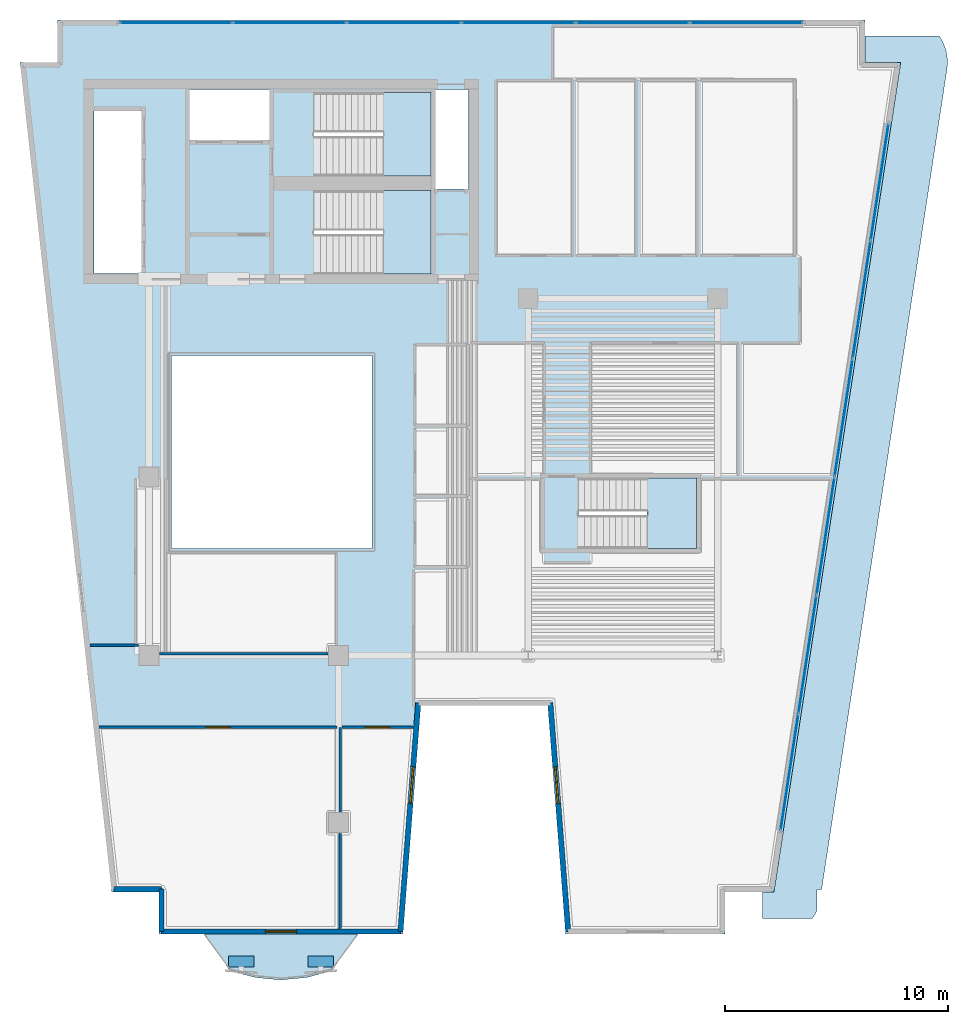
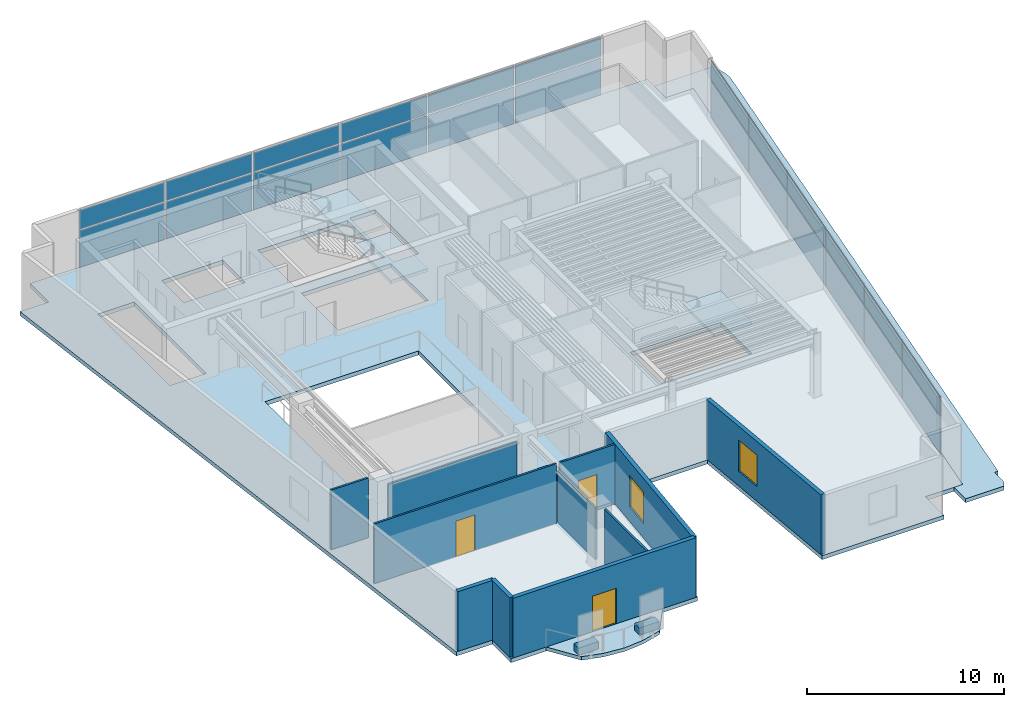
# One storey, part 3 of 8: 26 plates, 11 walls, 6 slabs, 3 doors, 2 windows, 5 openings, 5 elements without a shape of their own.
"""IFC4 building model written with IfcOpenShell, lengths in metres."""

from ifc_helpers import new_model, si_unit, direction, frame, frame_2d, origin, origin_2d, place, context, subcontext, project, spatial, polyline, rectangle, outline, extrude, material, layer, layer_set, type_object, element, fill, aggregate, save


model = new_model("IFC4")

# Units and contexts
model_context = context("Model", 3, precision=1e-05, world=origin(), true_north=direction((0.0, 1.0)))
body_context = subcontext(model_context, "Body", "Model", "MODEL_VIEW")
ifc_project = project(units=[si_unit("LENGTHUNIT", "METRE"), si_unit("AREAUNIT", "SQUARE_METRE"), si_unit("VOLUMEUNIT", "CUBIC_METRE"), si_unit("PLANEANGLEUNIT", "RADIAN"), si_unit("MASSUNIT", "GRAM", prefix="KILO")], contexts=[model_context])

# Site, building, storey
site_placement = place(None, origin())
site = spatial("IfcSite", under=ifc_project, at=site_placement, CompositionType="ELEMENT")
building_placement = place(site_placement, origin())
building = spatial("IfcBuilding", under=site, at=building_placement, Name="Caeloran Harvest Quay", CompositionType="ELEMENT")
storey_placement = place(building_placement, frame((0.0, 0.0, 235.10009765625)))
storey = spatial("IfcBuildingStorey", under=building, at=storey_placement, Name="L56", CompositionType="ELEMENT", Elevation=235.10009765625)

# Slab
ifc_material_1 = material(Name="Concrete C50/60", Category="concrete")
ifc_layer_1 = layer(ifc_material_1, 0.219970703125, Name="Concrete C50/60")
ifc_layer_set_1 = layer_set([ifc_layer_1], Name="Concrete C50/60")
slab_type_1 = type_object("IfcSlabType", Name="BALCONY-BL-220", PredefinedType="FLOOR", material=ifc_layer_set_1)
slab_1_placement = place(storey_placement, frame((0.0, 0.0, -0.22021484375)))
element("IfcSlab", 1, at=slab_1_placement, inside=storey, type_object=slab_type_1, Name="L56 Scalloped Cantilevered Planted Balcony Slab", PredefinedType="FLOOR", context=body_context, shape_type="SweptSolid", body=[
    extrude(outline(polyline([(16.70068359375, 0.856689453125), (15.5576171875, 0.553955078125), (14.41455078125, 0.443115234375), (13.271240234375, 0.553955078125), (12.128173828125, 0.856689453125), (10.998779296875, 2.5), (17.830322265625, 2.5), (16.70068359375, 0.856689453125)])), origin(), (0.0, 0.0, 1.0), 0.22021484375),
])

# Curtain wall, plates
ifc_material_2 = material(Name="Aluminium 6063-T6 and Low-E Glazing", Category="aluminium")
ifc_layer_2 = layer(ifc_material_2, 0.219970703125, Name="Aluminium 6063-T6 and Low-E Glazing")
ifc_layer_set_2 = layer_set([ifc_layer_2], Name="Aluminium 6063-T6 and Low-E Glazing")
curtain_wall_type = type_object("IfcCurtainWallType", Name="CW-SYS-CW-5", PredefinedType="USERDEFINED", material=ifc_layer_set_2)
curtain_wall_1_placement = place(storey_placement, origin())
curtain_wall_1 = element("IfcCurtainWall", 2, at=curtain_wall_1_placement, inside=storey, type_object=curtain_wall_type, Name="L56 Unitised Curtain Wall CW-5 Run 6", ObjectType="CURTAIN_WALL", PredefinedType="USERDEFINED")
ifc_material_3 = material(Name="Low-E Double Glazed Vision Glass Unit", Category="glass")
ifc_layer_3 = layer(ifc_material_3, 0.035888671875, Name="Low-E Double Glazed Vision Glass Unit")
ifc_layer_set_3 = layer_set([ifc_layer_3], Name="Low-E Double Glazed Vision Glass Unit")
plate_type_1 = type_object("IfcPlateType", Name="CW-VISION-PANEL", PredefinedType="CURTAIN_PANEL", material=ifc_layer_set_3)
plate_1_placement = place(storey_placement, frame((9.703369140625, 43.3798828125, 0.080078125), z_axis=(0.0, 0.0, 1.0), x_axis=(1.0, 0.0, 0.0)))
plate_1 = element("IfcPlate", 3, at=plate_1_placement, type_object=plate_type_1, Name="CW-5 panel 1.1", PredefinedType="CURTAIN_PANEL", context=body_context, shape_type="SweptSolid", body=[
    extrude(rectangle(XDim=5.006591796875, YDim=0.035888671875, at=origin_2d()), origin(), (0.0, 0.0, 1.0), 2.280029296875),
])
plate_2_placement = place(storey_placement, frame((9.703369140625, 43.3798828125, 2.43994140625), z_axis=(0.0, 0.0, 1.0), x_axis=(1.0, 0.0, 0.0)))
plate_2 = element("IfcPlate", 4, at=plate_2_placement, type_object=plate_type_1, Name="CW-5 panel 1.2", PredefinedType="CURTAIN_PANEL", context=body_context, shape_type="SweptSolid", body=[
    extrude(rectangle(XDim=5.006591796875, YDim=0.035888671875, at=origin_2d()), origin(), (0.0, 0.0, 1.0), 1.179931640625),
])
plate_3_placement = place(storey_placement, frame((14.81005859375, 43.3798828125, 0.080078125), z_axis=(0.0, 0.0, 1.0), x_axis=(1.0, 0.0, 0.0)))
plate_3 = element("IfcPlate", 5, at=plate_3_placement, type_object=plate_type_1, Name="CW-5 panel 2.1", PredefinedType="CURTAIN_PANEL", context=body_context, shape_type="SweptSolid", body=[
    extrude(rectangle(XDim=5.046630859375, YDim=0.035888671875, at=origin_2d()), origin(), (0.0, 0.0, 1.0), 2.280029296875),
])
plate_4_placement = place(storey_placement, frame((14.81005859375, 43.3798828125, 2.43994140625), z_axis=(0.0, 0.0, 1.0), x_axis=(1.0, 0.0, 0.0)))
plate_4 = element("IfcPlate", 6, at=plate_4_placement, type_object=plate_type_1, Name="CW-5 panel 2.2", PredefinedType="CURTAIN_PANEL", context=body_context, shape_type="SweptSolid", body=[
    extrude(rectangle(XDim=5.046630859375, YDim=0.035888671875, at=origin_2d()), origin(), (0.0, 0.0, 1.0), 1.179931640625),
])
plate_5_placement = place(storey_placement, frame((19.936767578125, 43.3798828125, 0.080078125), z_axis=(0.0, 0.0, 1.0), x_axis=(1.0, 0.0, 0.0)))
plate_5 = element("IfcPlate", 7, at=plate_5_placement, type_object=plate_type_1, Name="CW-5 panel 3.1", PredefinedType="CURTAIN_PANEL", context=body_context, shape_type="SweptSolid", body=[
    extrude(rectangle(XDim=5.046630859375, YDim=0.035888671875, at=origin_2d()), origin(), (0.0, 0.0, 1.0), 2.280029296875),
])
plate_6_placement = place(storey_placement, frame((19.936767578125, 43.3798828125, 2.43994140625), z_axis=(0.0, 0.0, 1.0), x_axis=(1.0, 0.0, 0.0)))
plate_6 = element("IfcPlate", 8, at=plate_6_placement, type_object=plate_type_1, Name="CW-5 panel 3.2", PredefinedType="CURTAIN_PANEL", context=body_context, shape_type="SweptSolid", body=[
    extrude(rectangle(XDim=5.046630859375, YDim=0.035888671875, at=origin_2d()), origin(), (0.0, 0.0, 1.0), 1.179931640625),
])
plate_7_placement = place(storey_placement, frame((25.063232421875, 43.3798828125, 0.080078125), z_axis=(0.0, 0.0, 1.0), x_axis=(1.0, 0.0, 0.0)))
plate_7 = element("IfcPlate", 9, at=plate_7_placement, type_object=plate_type_1, Name="CW-5 panel 4.1", PredefinedType="CURTAIN_PANEL", context=body_context, shape_type="SweptSolid", body=[
    extrude(rectangle(XDim=5.046630859375, YDim=0.035888671875, at=origin_2d()), origin(), (0.0, 0.0, 1.0), 2.280029296875),
])
plate_8_placement = place(storey_placement, frame((25.063232421875, 43.3798828125, 2.43994140625), z_axis=(0.0, 0.0, 1.0), x_axis=(1.0, 0.0, 0.0)))
plate_8 = element("IfcPlate", 10, at=plate_8_placement, type_object=plate_type_1, Name="CW-5 panel 4.2", PredefinedType="CURTAIN_PANEL", context=body_context, shape_type="SweptSolid", body=[
    extrude(rectangle(XDim=5.046630859375, YDim=0.035888671875, at=origin_2d()), origin(), (0.0, 0.0, 1.0), 1.179931640625),
])
plate_9_placement = place(storey_placement, frame((30.18994140625, 43.3798828125, 0.080078125), z_axis=(0.0, 0.0, 1.0), x_axis=(1.0, 0.0, 0.0)))
plate_9 = element("IfcPlate", 11, at=plate_9_placement, type_object=plate_type_1, Name="CW-5 panel 5.1", PredefinedType="CURTAIN_PANEL", context=body_context, shape_type="SweptSolid", body=[
    extrude(rectangle(XDim=5.046630859375, YDim=0.035888671875, at=origin_2d()), origin(), (0.0, 0.0, 1.0), 2.280029296875),
])
plate_10_placement = place(storey_placement, frame((30.18994140625, 43.3798828125, 2.43994140625), z_axis=(0.0, 0.0, 1.0), x_axis=(1.0, 0.0, 0.0)))
plate_10 = element("IfcPlate", 12, at=plate_10_placement, type_object=plate_type_1, Name="CW-5 panel 5.2", PredefinedType="CURTAIN_PANEL", context=body_context, shape_type="SweptSolid", body=[
    extrude(rectangle(XDim=5.046630859375, YDim=0.035888671875, at=origin_2d()), origin(), (0.0, 0.0, 1.0), 1.179931640625),
])
plate_11_placement = place(storey_placement, frame((35.296630859375, 43.3798828125, 0.080078125), z_axis=(0.0, 0.0, 1.0), x_axis=(1.0, 0.0, 0.0)))
plate_11 = element("IfcPlate", 13, at=plate_11_placement, type_object=plate_type_1, Name="CW-5 panel 6.1", PredefinedType="CURTAIN_PANEL", context=body_context, shape_type="SweptSolid", body=[
    extrude(rectangle(XDim=5.006591796875, YDim=0.035888671875, at=origin_2d()), origin(), (0.0, 0.0, 1.0), 2.280029296875),
])
plate_12_placement = place(storey_placement, frame((35.296630859375, 43.3798828125, 2.43994140625), z_axis=(0.0, 0.0, 1.0), x_axis=(1.0, 0.0, 0.0)))
plate_12 = element("IfcPlate", 14, at=plate_12_placement, type_object=plate_type_1, Name="CW-5 panel 6.2", PredefinedType="CURTAIN_PANEL", context=body_context, shape_type="SweptSolid", body=[
    extrude(rectangle(XDim=5.006591796875, YDim=0.035888671875, at=origin_2d()), origin(), (0.0, 0.0, 1.0), 1.179931640625),
])
aggregate(curtain_wall_1, [plate_1, plate_2, plate_3, plate_4, plate_5, plate_6, plate_7, plate_8, plate_9, plate_10, plate_11, plate_12])

curtain_wall_2_placement = place(storey_placement, origin())
curtain_wall_2 = element("IfcCurtainWall", 15, at=curtain_wall_2_placement, inside=storey, type_object=curtain_wall_type, Name="L56 Unitised Curtain Wall CW-5 Run 9", ObjectType="CURTAIN_WALL", PredefinedType="USERDEFINED")
plate_13_placement = place(storey_placement, frame((41.26904296875, 36.23828125, 0.080078125), z_axis=(0.0, 0.0, 1.0), x_axis=(-0.151027591278, -0.988529547698, 0.0)))
plate_13 = element("IfcPlate", 16, at=plate_13_placement, type_object=plate_type_1, Name="CW-5 panel 1.1", PredefinedType="CURTAIN_PANEL", context=body_context, shape_type="SweptSolid", body=[
    extrude(rectangle(XDim=5.244873046875, YDim=0.035888671875, at=origin_2d()), origin(), (0.0, 0.0, 1.0), 2.280029296875),
])
plate_14_placement = place(storey_placement, frame((41.26904296875, 36.23828125, 2.43994140625), z_axis=(0.0, 0.0, 1.0), x_axis=(-0.151027591278, -0.988529547698, 0.0)))
plate_14 = element("IfcPlate", 17, at=plate_14_placement, type_object=plate_type_1, Name="CW-5 panel 1.2", PredefinedType="CURTAIN_PANEL", context=body_context, shape_type="SweptSolid", body=[
    extrude(rectangle(XDim=5.244873046875, YDim=0.035888671875, at=origin_2d()), origin(), (0.0, 0.0, 1.0), 1.179931640625),
])
plate_15_placement = place(storey_placement, frame((40.4619140625, 30.954833984375, 0.080078125), z_axis=(0.0, 0.0, 1.0), x_axis=(-0.151027591278, -0.988529547698, 0.0)))
plate_15 = element("IfcPlate", 18, at=plate_15_placement, type_object=plate_type_1, Name="CW-5 panel 2.1", PredefinedType="CURTAIN_PANEL", context=body_context, shape_type="SweptSolid", body=[
    extrude(rectangle(XDim=5.284912109375, YDim=0.035888671875, at=origin_2d()), origin(), (0.0, 0.0, 1.0), 2.280029296875),
])
plate_16_placement = place(storey_placement, frame((40.4619140625, 30.954833984375, 2.43994140625), z_axis=(0.0, 0.0, 1.0), x_axis=(-0.151027591278, -0.988529547698, 0.0)))
plate_16 = element("IfcPlate", 19, at=plate_16_placement, type_object=plate_type_1, Name="CW-5 panel 2.2", PredefinedType="CURTAIN_PANEL", context=body_context, shape_type="SweptSolid", body=[
    extrude(rectangle(XDim=5.284912109375, YDim=0.035888671875, at=origin_2d()), origin(), (0.0, 0.0, 1.0), 1.179931640625),
])
plate_17_placement = place(storey_placement, frame((39.651611328125, 25.651611328125, 0.080078125), z_axis=(0.0, 0.0, 1.0), x_axis=(-0.151027591278, -0.988529547698, 0.0)))
plate_17 = element("IfcPlate", 20, at=plate_17_placement, type_object=plate_type_1, Name="CW-5 panel 3.1", PredefinedType="CURTAIN_PANEL", context=body_context, shape_type="SweptSolid", body=[
    extrude(rectangle(XDim=5.284912109375, YDim=0.035888671875, at=origin_2d()), origin(), (0.0, 0.0, 1.0), 2.280029296875),
])
plate_18_placement = place(storey_placement, frame((39.651611328125, 25.651611328125, 2.43994140625), z_axis=(0.0, 0.0, 1.0), x_axis=(-0.151027591278, -0.988529547698, 0.0)))
plate_18 = element("IfcPlate", 21, at=plate_18_placement, type_object=plate_type_1, Name="CW-5 panel 3.2", PredefinedType="CURTAIN_PANEL", context=body_context, shape_type="SweptSolid", body=[
    extrude(rectangle(XDim=5.284912109375, YDim=0.035888671875, at=origin_2d()), origin(), (0.0, 0.0, 1.0), 1.179931640625),
])
plate_19_placement = place(storey_placement, frame((38.841552734375, 20.348388671875, 0.080078125), z_axis=(0.0, 0.0, 1.0), x_axis=(-0.151027591278, -0.988529547698, 0.0)))
plate_19 = element("IfcPlate", 22, at=plate_19_placement, type_object=plate_type_1, Name="CW-5 panel 4.1", PredefinedType="CURTAIN_PANEL", context=body_context, shape_type="SweptSolid", body=[
    extrude(rectangle(XDim=5.284912109375, YDim=0.035888671875, at=origin_2d()), origin(), (0.0, 0.0, 1.0), 2.280029296875),
])
plate_20_placement = place(storey_placement, frame((38.841552734375, 20.348388671875, 2.43994140625), z_axis=(0.0, 0.0, 1.0), x_axis=(-0.151027591278, -0.988529547698, 0.0)))
plate_20 = element("IfcPlate", 23, at=plate_20_placement, type_object=plate_type_1, Name="CW-5 panel 4.2", PredefinedType="CURTAIN_PANEL", context=body_context, shape_type="SweptSolid", body=[
    extrude(rectangle(XDim=5.284912109375, YDim=0.035888671875, at=origin_2d()), origin(), (0.0, 0.0, 1.0), 1.179931640625),
])
plate_21_placement = place(storey_placement, frame((38.03125, 15.045166015625, 0.080078125), z_axis=(0.0, 0.0, 1.0), x_axis=(-0.151027591278, -0.988529547698, 0.0)))
plate_21 = element("IfcPlate", 24, at=plate_21_placement, type_object=plate_type_1, Name="CW-5 panel 5.1", PredefinedType="CURTAIN_PANEL", context=body_context, shape_type="SweptSolid", body=[
    extrude(rectangle(XDim=5.284912109375, YDim=0.035888671875, at=origin_2d()), origin(), (0.0, 0.0, 1.0), 2.280029296875),
])
plate_22_placement = place(storey_placement, frame((38.03125, 15.045166015625, 2.43994140625), z_axis=(0.0, 0.0, 1.0), x_axis=(-0.151027591278, -0.988529547698, 0.0)))
plate_22 = element("IfcPlate", 25, at=plate_22_placement, type_object=plate_type_1, Name="CW-5 panel 5.2", PredefinedType="CURTAIN_PANEL", context=body_context, shape_type="SweptSolid", body=[
    extrude(rectangle(XDim=5.284912109375, YDim=0.035888671875, at=origin_2d()), origin(), (0.0, 0.0, 1.0), 1.179931640625),
])
plate_23_placement = place(storey_placement, frame((37.22412109375, 9.76171875, 0.080078125), z_axis=(0.0, 0.0, 1.0), x_axis=(-0.151027591278, -0.988529547698, 0.0)))
plate_23 = element("IfcPlate", 26, at=plate_23_placement, type_object=plate_type_1, Name="CW-5 panel 6.1", PredefinedType="CURTAIN_PANEL", context=body_context, shape_type="SweptSolid", body=[
    extrude(rectangle(XDim=5.244873046875, YDim=0.035888671875, at=origin_2d()), origin(), (0.0, 0.0, 1.0), 2.280029296875),
])
plate_24_placement = place(storey_placement, frame((37.22412109375, 9.76171875, 2.43994140625), z_axis=(0.0, 0.0, 1.0), x_axis=(-0.151027591278, -0.988529547698, 0.0)))
plate_24 = element("IfcPlate", 27, at=plate_24_placement, type_object=plate_type_1, Name="CW-5 panel 6.2", PredefinedType="CURTAIN_PANEL", context=body_context, shape_type="SweptSolid", body=[
    extrude(rectangle(XDim=5.244873046875, YDim=0.035888671875, at=origin_2d()), origin(), (0.0, 0.0, 1.0), 1.179931640625),
])
aggregate(curtain_wall_2, [plate_13, plate_14, plate_15, plate_16, plate_17, plate_18, plate_19, plate_20, plate_21, plate_22, plate_23, plate_24])

# Plates
ifc_material_4 = material(Name="Precast concrete C50/60", Category="concrete")
ifc_layer_4 = layer(ifc_material_4, 0.449951171875, Name="Precast concrete C50/60")
ifc_layer_set_4 = layer_set([ifc_layer_4], Name="Precast concrete C50/60")
plate_type_2 = type_object("IfcPlateType", Name="PLANTER-TROUGH-450", PredefinedType="USERDEFINED", material=ifc_layer_set_4)
for number, where, z_axis, x_axis, name in (
    (28, (16.19775390625, 1.2705078125, 0.0), (0.0, 0.0, 1.0), (1.0, 0.0, 0.0), "L56 Balcony Vertical-Greenery Precast PLANTER Trough 1"),
    (29, (12.631103515625, 1.2705078125, 0.0), (0.0, 0.0, 1.0), (1.0, 0.0, 0.0), "L56 Balcony Vertical-Greenery Precast PLANTER Trough 2"),
):
    element("IfcPlate", number, at=place(storey_placement, frame(where, z_axis=z_axis, x_axis=x_axis)), inside=storey, type_object=plate_type_2, Name=name, ObjectType="PLANTER", PredefinedType="USERDEFINED", context=body_context, shape_type="SweptSolid", body=[
        extrude(rectangle(XDim=1.14990234375, YDim=0.47998046875, at=origin_2d()), origin(), (0.0, 0.0, 1.0), 0.449951171875),
    ])

# Slabs
ifc_layer_5 = layer(ifc_material_1, 0.25, Name="Concrete C50/60")
ifc_layer_set_5 = layer_set([ifc_layer_5], Name="Concrete C50/60")
slab_type_2 = type_object("IfcSlabType", Name="SLAB-FS-250", PredefinedType="FLOOR", material=ifc_layer_set_5)
slab_2_placement = place(storey_placement, frame((0.0, 0.0, -0.25)))
element("IfcSlab", 30, at=slab_2_placement, inside=storey, type_object=slab_type_2, Name="L56 Structural Floor Slab", PredefinedType="FLOOR", context=body_context, shape_type="SweptSolid", body=[
    extrude(outline(polyline([(8.93603515625, 2.5), (19.884033203125, 2.5), (20.68408203125, 12.75), (26.384033203125, 12.75), (27.18408203125, 2.5), (34.3359375, 2.5), (34.3359375, 4.39990234375), (36.5263671875, 4.39990234375), (42.209716796875, 41.60009765625), (40.60009765625, 41.60009765625), (40.60009765625, 43.5), (4.39990234375, 43.5), (4.39990234375, 41.60009765625), (2.710205078125, 41.60009765625), (6.82568359375, 4.39990234375), (8.93603515625, 4.39990234375), (8.93603515625, 2.5)]), holes=[polyline([(33.050048828125, 19.800048828125), (27.75, 19.800048828125), (27.75, 22.949951171875), (33.050048828125, 22.949951171875), (33.050048828125, 19.800048828125)]), polyline([(18.5, 19.800048828125), (9.5, 19.800048828125), (9.5, 28.449951171875), (18.5, 28.449951171875), (18.5, 19.800048828125)]), polyline([(15.89990234375, 32.10009765625), (15.89990234375, 35.85009765625), (21.14990234375, 35.85009765625), (21.14990234375, 32.10009765625), (15.89990234375, 32.10009765625)]), polyline([(8.159912109375, 32.1201171875), (6.02001953125, 32.1201171875), (6.02001953125, 39.419921875), (8.159912109375, 39.419921875), (8.159912109375, 32.1201171875)]), polyline([(22.830078125, 35.919921875), (21.35009765625, 35.919921875), (21.35009765625, 40.3798828125), (22.830078125, 40.3798828125), (22.830078125, 35.919921875)]), polyline([(15.89990234375, 36.5), (15.89990234375, 40.25), (21.14990234375, 40.25), (21.14990234375, 36.5), (15.89990234375, 36.5)]), polyline([(13.89990234375, 38.1201171875), (10.320068359375, 38.1201171875), (10.320068359375, 40.3798828125), (13.89990234375, 40.3798828125), (13.89990234375, 38.1201171875)])]), origin(), (0.0, 0.0, 1.0), 0.25),
])
ifc_layer_6 = layer(ifc_material_1, 0.239990234375, Name="Concrete C50/60")
ifc_layer_set_6 = layer_set([ifc_layer_6], Name="Concrete C50/60")
slab_type_3 = type_object("IfcSlabType", Name="SLAB-TR-240", PredefinedType="ROOF", material=ifc_layer_set_6)
slab_3_placement = place(storey_placement, frame((0.0, 0.0, -0.239990234375)))
element("IfcSlab", 31, at=slab_3_placement, inside=storey, type_object=slab_type_3, Name="L56 Step-Back Roof Slab 1", PredefinedType="ROOF", context=body_context, shape_type="SweptSolid", body=[
    extrude(outline(polyline([(44.198486328125, 42.274169921875), (44.25390625, 42.0810546875), (44.29052734375, 41.883544921875), (44.30810546875, 41.68359375), (44.306396484375, 41.482666015625), (44.28564453125, 41.28271484375), (38.666015625, 4.5), (38.452880859375, 4.5), (38.452880859375, 3.5712890625), (38.412109375, 3.475830078125), (38.308837890625, 3.289794921875), (38.25341796875, 3.2099609375), (36.010009765625, 3.2099609375), (36.010009765625, 4.39990234375), (36.5263671875, 4.39990234375), (42.209716796875, 41.60009765625), (40.60009765625, 41.60009765625), (40.60009765625, 42.7900390625), (43.938720703125, 42.7900390625), (44.033935546875, 42.64013671875), (44.125, 42.461181640625), (44.198486328125, 42.274169921875)])), origin(), (0.0, 0.0, 1.0), 0.239990234375),
])

# Stair, slab
stair_type_1 = type_object("IfcStairType", Name="STAIR-STC-180", PredefinedType="HALF_TURN_STAIR", material=ifc_material_1)
stair_1_placement = place(storey_placement, origin())
stair_1 = element("IfcStair", 32, at=stair_1_placement, inside=storey, type_object=stair_type_1, Name="L56 Core Pressurized Exit Stair ST-C1", PredefinedType="HALF_TURN_STAIR")
ifc_layer_7 = layer(ifc_material_1, 0.219970703125, Name="Concrete C50/60")
ifc_layer_set_7 = layer_set([ifc_layer_7], Name="Concrete C50/60")
slab_type_4 = type_object("IfcSlabType", Name="STAIR-LANDING-220", PredefinedType="LANDING", material=ifc_layer_set_7)
slab_4_placement = place(storey_placement, frame((0.0, 0.0, 1.77490234375)))
slab_4 = element("IfcSlab", 33, at=slab_4_placement, type_object=slab_type_4, Name="ST-C1 landing 1", PredefinedType="LANDING", context=body_context, shape_type="SweptSolid", body=[
    extrude(outline(polyline([(18.97998046875, 36.5), (21.14990234375, 36.5), (21.14990234375, 40.25), (18.97998046875, 40.25), (18.97998046875, 36.5)])), origin(), (0.0, 0.0, 1.0), 0.199951171875),
])
aggregate(stair_1, [slab_4])

stair_2_placement = place(storey_placement, origin())
stair_2 = element("IfcStair", 34, at=stair_2_placement, inside=storey, type_object=stair_type_1, Name="L56 Core Pressurized Exit Stair ST-C2", PredefinedType="HALF_TURN_STAIR")
slab_5_placement = place(storey_placement, frame((0.0, 0.0, 1.77490234375)))
slab_5 = element("IfcSlab", 35, at=slab_5_placement, type_object=slab_type_4, Name="ST-C2 landing 1", PredefinedType="LANDING", context=body_context, shape_type="SweptSolid", body=[
    extrude(outline(polyline([(18.97998046875, 32.10009765625), (21.14990234375, 32.10009765625), (21.14990234375, 35.85009765625), (18.97998046875, 35.85009765625), (18.97998046875, 32.10009765625)])), origin(), (0.0, 0.0, 1.0), 0.199951171875),
])
aggregate(stair_2, [slab_5])

stair_type_2 = type_object("IfcStairType", Name="STAIR-STW-150", PredefinedType="HALF_TURN_STAIR", material=ifc_material_1)
stair_3_placement = place(storey_placement, origin())
stair_3 = element("IfcStair", 36, at=stair_3_placement, inside=storey, type_object=stair_type_2, Name="L56 East Wing Protected Exit Stair ST-W1", PredefinedType="HALF_TURN_STAIR")
slab_6_placement = place(storey_placement, frame((0.0, 0.0, 1.77490234375)))
slab_6 = element("IfcSlab", 37, at=slab_6_placement, type_object=slab_type_4, Name="ST-W1 landing 1", PredefinedType="LANDING", context=body_context, shape_type="SweptSolid", body=[
    extrude(outline(polyline([(30.830078125, 19.800048828125), (33.050048828125, 19.800048828125), (33.050048828125, 22.949951171875), (30.830078125, 22.949951171875), (30.830078125, 19.800048828125)])), origin(), (0.0, 0.0, 1.0), 0.199951171875),
])
aggregate(stair_3, [slab_6])

# Walls
ifc_layer_8 = layer(ifc_material_4, 0.239990234375, Name="Precast concrete C50/60")
ifc_layer_set_8 = layer_set([ifc_layer_8], Name="Precast concrete C50/60")
wall_type_1 = type_object("IfcWallType", Name="ENV-WALL-EW-240", PredefinedType="STANDARD", material=ifc_layer_set_8)
wall_1_placement = place(storey_placement, frame((9.055908203125, 2.6201171875, 0.0), z_axis=(0.0, 0.0, 1.0), x_axis=(0.0, 1.0, 0.0)))
element("IfcWall", 38, at=wall_1_placement, inside=storey, type_object=wall_type_1, Name="L56 Exterior Precast Concrete Facade Wall 1", PredefinedType="STANDARD", context=body_context, shape_type="SweptSolid", body=[
    extrude(rectangle(XDim=1.89990234375, YDim=0.239990234375, at=frame_2d((0.949951171875, 0.0))), origin(), (0.0, 0.0, 1.0), 3.699951171875),
])
wall_2_placement = place(storey_placement, frame((9.055908203125, 4.52001953125, 0.0), z_axis=(0.0, 0.0, 1.0), x_axis=(-1.0, 0.0, 0.0)))
element("IfcWall", 39, at=wall_2_placement, inside=storey, type_object=wall_type_1, Name="L56 Exterior Precast Concrete Facade Wall 2", PredefinedType="STANDARD", context=body_context, shape_type="SweptSolid", body=[
    extrude(rectangle(XDim=2.12255859375, YDim=0.239990234375, at=frame_2d((1.061279296875, 0.0))), origin(), (0.0, 0.0, 1.0), 3.699951171875),
])

# Wall, opening, window
wall_3_placement = place(storey_placement, frame((27.294921875, 2.6201171875, 0.0), z_axis=(0.0, 0.0, 1.0), x_axis=(-0.077793257511, 0.996969512616, 0.0)))
wall_3 = element("IfcWall", 40, at=wall_3_placement, inside=storey, type_object=wall_type_1, Name="L56 Exterior Precast Concrete Facade Wall 13", PredefinedType="STANDARD", context=body_context, shape_type="SweptSolid", body=[
    extrude(rectangle(XDim=10.28125, YDim=0.239990234375, at=frame_2d((5.140625, 0.0))), origin(), (0.0, 0.0, 1.0), 3.699951171875),
])
opening_1_placement = place(wall_3_placement, frame((5.7548828125, 0.0, 0.89990234375)))
opening_1 = element("IfcOpeningElement", 41, at=opening_1_placement, cuts=wall_3, Name="Opening W-08", PredefinedType="OPENING", context=body_context, shape_type="SweptSolid", body=[
    extrude(rectangle(XDim=1.64990234375, YDim=1.949951171875, at=frame_2d((0.824951171875, 0.97509765625))), frame((0.0, 0.1298828125, 0.0), z_axis=(0.0, -1.0, 0.0), x_axis=(1.0, 0.0, 0.0)), (0.0, 0.0, 1.0), 0.260009765625),
])
ifc_material_5 = material(Name="Aluminium-Framed Low-E Laminated Glass", Category="aluminium")
window_type = type_object("IfcWindowType", Name="WIN-W-08", PartitioningType="SINGLE_PANEL", PredefinedType="WINDOW", material=ifc_material_5)
window_1_placement = place(opening_1_placement, origin())
window_1 = element("IfcWindow", 42, at=window_1_placement, inside=storey, type_object=window_type, Name="L56 Facade Punched Window W-08", OverallHeight=1.949951171875, OverallWidth=1.64990234375, PartitioningType="SINGLE_PANEL", PredefinedType="WINDOW", context=body_context, shape_type="SweptSolid", body=[
    extrude(rectangle(XDim=1.64990234375, YDim=1.949951171875, at=frame_2d((0.824951171875, 0.97509765625))), frame((0.0, 0.030029296875, 0.0), z_axis=(0.0, -1.0, 0.0), x_axis=(1.0, 0.0, 0.0)), (0.0, 0.0, 1.0), 0.06005859375),
])
fill(opening_1, window_1)

wall_4_placement = place(storey_placement, frame((20.572998046875, 12.8701171875, 0.0), z_axis=(0.0, 0.0, 1.0), x_axis=(-0.077816860153, -0.996967670627, 0.0)))
wall_4 = element("IfcWall", 43, at=wall_4_placement, inside=storey, type_object=wall_type_1, Name="L56 Exterior Precast Concrete Facade Wall 15", PredefinedType="STANDARD", context=body_context, shape_type="SweptSolid", body=[
    extrude(rectangle(XDim=10.28125, YDim=0.239990234375, at=frame_2d((5.140625, 0.0))), origin(), (0.0, 0.0, 1.0), 3.699951171875),
])
opening_2_placement = place(wall_4_placement, frame((2.8759765625, 0.0, 0.89990234375)))
opening_2 = element("IfcOpeningElement", 44, at=opening_2_placement, cuts=wall_4, Name="Opening W-08", PredefinedType="OPENING", context=body_context, shape_type="SweptSolid", body=[
    extrude(rectangle(XDim=1.64990234375, YDim=1.949951171875, at=frame_2d((0.824951171875, 0.97509765625))), frame((0.0, 0.1298828125, 0.0), z_axis=(0.0, -1.0, 0.0), x_axis=(1.0, 0.0, 0.0)), (0.0, 0.0, 1.0), 0.260009765625),
])
window_2_placement = place(opening_2_placement, origin())
window_2 = element("IfcWindow", 45, at=window_2_placement, inside=storey, type_object=window_type, Name="L56 Facade Punched Window W-08", OverallHeight=1.949951171875, OverallWidth=1.64990234375, PartitioningType="SINGLE_PANEL", PredefinedType="WINDOW", context=body_context, shape_type="SweptSolid", body=[
    extrude(rectangle(XDim=1.64990234375, YDim=1.949951171875, at=frame_2d((0.824951171875, 0.97509765625))), frame((0.0, 0.030029296875, 0.0), z_axis=(0.0, -1.0, 0.0), x_axis=(1.0, 0.0, 0.0)), (0.0, 0.0, 1.0), 0.06005859375),
])
fill(opening_2, window_2)

# Wall, opening, door
wall_5_placement = place(storey_placement, frame((19.77294921875, 2.6201171875, 0.0), z_axis=(0.0, 0.0, 1.0), x_axis=(-1.0, 0.0, 0.0)))
wall_5 = element("IfcWall", 46, at=wall_5_placement, inside=storey, type_object=wall_type_1, Name="L56 Exterior Precast Concrete Facade Wall 16", PredefinedType="STANDARD", context=body_context, shape_type="SweptSolid", body=[
    extrude(rectangle(XDim=10.717041015625, YDim=0.239990234375, at=frame_2d((5.3583984375, 0.0))), origin(), (0.0, 0.0, 1.0), 3.699951171875),
])
opening_3_placement = place(wall_5_placement, frame((4.658935546875, 0.0, 0.0)))
opening_3 = element("IfcOpeningElement", 47, at=opening_3_placement, cuts=wall_5, Name="Opening BD-02", PredefinedType="OPENING", context=body_context, shape_type="SweptSolid", body=[
    extrude(rectangle(XDim=1.39990234375, YDim=2.199951171875, at=frame_2d((0.699951171875, 1.10009765625))), frame((0.0, 0.1298828125, 0.0), z_axis=(0.0, -1.0, 0.0), x_axis=(1.0, 0.0, 0.0)), (0.0, 0.0, 1.0), 0.260009765625),
])
ifc_material_6 = material(Name="Thermally Broken Powder-Coated Aluminium and Safety Glass", Category="aluminium")
door_type_1 = type_object("IfcDoorType", Name="EXTDOOR-BD-02", OperationType="NOTDEFINED", PredefinedType="DOOR", material=ifc_material_6)
door_1_placement = place(opening_3_placement, origin())
door_1 = element("IfcDoor", 48, at=door_1_placement, inside=storey, type_object=door_type_1, Name="L56 Planted Balcony Glazed Access Door", OperationType="SINGLE_SWING_LEFT", OverallHeight=2.199951171875, OverallWidth=1.39990234375, PredefinedType="DOOR", context=body_context, shape_type="SweptSolid", body=[
    extrude(rectangle(XDim=1.39990234375, YDim=2.199951171875, at=frame_2d((0.699951171875, 1.10009765625))), frame((0.0, 0.02490234375, 0.0), z_axis=(0.0, -1.0, 0.0), x_axis=(1.0, 0.0, 0.0)), (0.0, 0.0, 1.0), 0.050048828125),
])
fill(opening_3, door_1)

# Walls
ifc_material_7 = material(Name="Single-Stud Acoustic Gypsum Office Partition", Category="gypsum")
ifc_layer_9 = layer(ifc_material_7, 0.112060546875, Name="Single-Stud Acoustic Gypsum Office Partition")
ifc_layer_set_9 = layer_set([ifc_layer_9], Name="Single-Stud Acoustic Gypsum Office Partition")
wall_type_2 = type_object("IfcWallType", Name="INT-WALL-PW-112", PredefinedType="PARTITIONING", material=ifc_layer_set_9)
wall_6_placement = place(storey_placement, frame((17.080078125, 2.7451171875, 0.0), z_axis=(0.0, 0.0, 1.0), x_axis=(0.0, 1.0, 0.0)))
element("IfcWall", 49, at=wall_6_placement, inside=storey, type_object=wall_type_2, Name="Sawtooth Terrace Design Studio Office Partition Wall", PredefinedType="PARTITIONING", context=body_context, shape_type="SweptSolid", body=[
    extrude(rectangle(XDim=4.27978515625, YDim=0.112060546875, at=frame_2d((2.139892578125, 0.0))), origin(), (0.0, 0.0, 1.0), 3.699951171875),
])
wall_7_placement = place(storey_placement, frame((17.080078125, 7.97509765625, 0.0), z_axis=(0.0, 0.0, 1.0), x_axis=(0.0, 1.0, 0.0)))
element("IfcWall", 50, at=wall_7_placement, inside=storey, type_object=wall_type_2, Name="Sawtooth Terrace Design Studio Office Partition Wall", PredefinedType="PARTITIONING", context=body_context, shape_type="SweptSolid", body=[
    extrude(rectangle(XDim=3.794921875, YDim=0.112060546875, at=frame_2d((1.8974609375, 0.0))), origin(), (0.0, 0.0, 1.0), 3.184814453125),
])

# Wall, opening, door
wall_8_placement = place(storey_placement, frame((17.14111328125, 11.77001953125, 0.0), z_axis=(0.0, 0.0, 1.0), x_axis=(1.0, 0.0, 0.0)))
wall_8 = element("IfcWall", 51, at=wall_8_placement, inside=storey, type_object=wall_type_2, Name="Sawtooth Terrace Design Studio Office Partition Wall", PredefinedType="PARTITIONING", context=body_context, shape_type="SweptSolid", body=[
    extrude(rectangle(XDim=3.220703125, YDim=0.112060546875, at=frame_2d((1.6103515625, 0.0))), origin(), (0.0, 0.0, 1.0), 3.699951171875),
])
opening_4_placement = place(wall_8_placement, frame((1.060302734375, 0.0, 0.0)))
opening_4 = element("IfcOpeningElement", 52, at=opening_4_placement, cuts=wall_8, Name="Opening ID-04", PredefinedType="OPENING", context=body_context, shape_type="SweptSolid", body=[
    extrude(rectangle(XDim=1.10009765625, YDim=2.199951171875, at=frame_2d((0.550048828125, 1.10009765625))), frame((0.0, 0.06591796875, 0.0), z_axis=(0.0, -1.0, 0.0), x_axis=(1.0, 0.0, 0.0)), (0.0, 0.0, 1.0), 0.132080078125),
])
ifc_material_8 = material(Name="Acoustic Walnut Veneer Executive Door", Category="wood")
door_type_2 = type_object("IfcDoorType", Name="INTDOOR-ID-04", OperationType="NOTDEFINED", PredefinedType="DOOR", material=ifc_material_8)
door_2_placement = place(opening_4_placement, origin())
door_2 = element("IfcDoor", 53, at=door_2_placement, inside=storey, type_object=door_type_2, Name="Sawtooth Terrace Design Studio Office Access Door", OperationType="SINGLE_SWING_RIGHT", OverallHeight=2.199951171875, OverallWidth=1.10009765625, PredefinedType="DOOR", context=body_context, shape_type="SweptSolid", body=[
    extrude(rectangle(XDim=1.10009765625, YDim=2.199951171875, at=frame_2d((0.550048828125, 1.10009765625))), frame((0.0, 0.02490234375, 0.0), z_axis=(0.0, -1.0, 0.0), x_axis=(1.0, 0.0, 0.0)), (0.0, 0.0, 1.0), 0.050048828125),
])
fill(opening_4, door_2)

wall_9_placement = place(storey_placement, frame((6.257080078125, 11.77001953125, 0.0), z_axis=(0.0, 0.0, 1.0), x_axis=(1.0, 0.0, 0.0)))
wall_9 = element("IfcWall", 54, at=wall_9_placement, inside=storey, type_object=wall_type_2, Name="Botanical Architecture Atelier Partition Wall", PredefinedType="PARTITIONING", context=body_context, shape_type="SweptSolid", body=[
    extrude(rectangle(XDim=10.662841796875, YDim=0.112060546875, at=frame_2d((5.33154296875, 0.0))), origin(), (0.0, 0.0, 1.0), 3.699951171875),
])
opening_5_placement = place(wall_9_placement, frame((4.781494140625, 0.0, 0.0)))
opening_5 = element("IfcOpeningElement", 55, at=opening_5_placement, cuts=wall_9, Name="Opening ID-04", PredefinedType="OPENING", context=body_context, shape_type="SweptSolid", body=[
    extrude(rectangle(XDim=1.10009765625, YDim=2.199951171875, at=frame_2d((0.550048828125, 1.10009765625))), frame((0.0, 0.06591796875, 0.0), z_axis=(0.0, -1.0, 0.0), x_axis=(1.0, 0.0, 0.0)), (0.0, 0.0, 1.0), 0.132080078125),
])
door_3_placement = place(opening_5_placement, origin())
door_3 = element("IfcDoor", 56, at=door_3_placement, inside=storey, type_object=door_type_2, Name="Botanical Architecture Atelier Access Door", OperationType="SINGLE_SWING_LEFT", OverallHeight=2.199951171875, OverallWidth=1.10009765625, PredefinedType="DOOR", context=body_context, shape_type="SweptSolid", body=[
    extrude(rectangle(XDim=1.10009765625, YDim=2.199951171875, at=frame_2d((0.550048828125, 1.10009765625))), frame((0.0, 0.02490234375, 0.0), z_axis=(0.0, -1.0, 0.0), x_axis=(1.0, 0.0, 0.0)), (0.0, 0.0, 1.0), 0.050048828125),
])
fill(opening_5, door_3)

# Walls
wall_10_placement = place(storey_placement, frame((16.52490234375, 15.080078125, 0.0), z_axis=(0.0, 0.0, 1.0), x_axis=(-1.0, 0.0, 0.0)))
element("IfcWall", 57, at=wall_10_placement, inside=storey, type_object=wall_type_2, Name="Principal Partner Office Partition Wall", PredefinedType="PARTITIONING", context=body_context, shape_type="SweptSolid", body=[
    extrude(rectangle(XDim=7.5498046875, YDim=0.112060546875, at=frame_2d((3.77490234375, 0.0))), origin(), (0.0, 0.0, 1.0), 3.184814453125),
])
wall_11_placement = place(storey_placement, frame((8.02490234375, 15.465087890625, 0.0), z_axis=(0.0, 0.0, 1.0), x_axis=(-1.0, 0.0, 0.0)))
element("IfcWall", 58, at=wall_11_placement, inside=storey, type_object=wall_type_2, Name="Principal Partner Office Partition Wall", PredefinedType="PARTITIONING", context=body_context, shape_type="SweptSolid", body=[
    extrude(rectangle(XDim=2.1767578125, YDim=0.112060546875, at=frame_2d((1.08837890625, 0.0))), origin(), (0.0, 0.0, 1.0), 3.699951171875),
])

save(model, "model.ifc")
